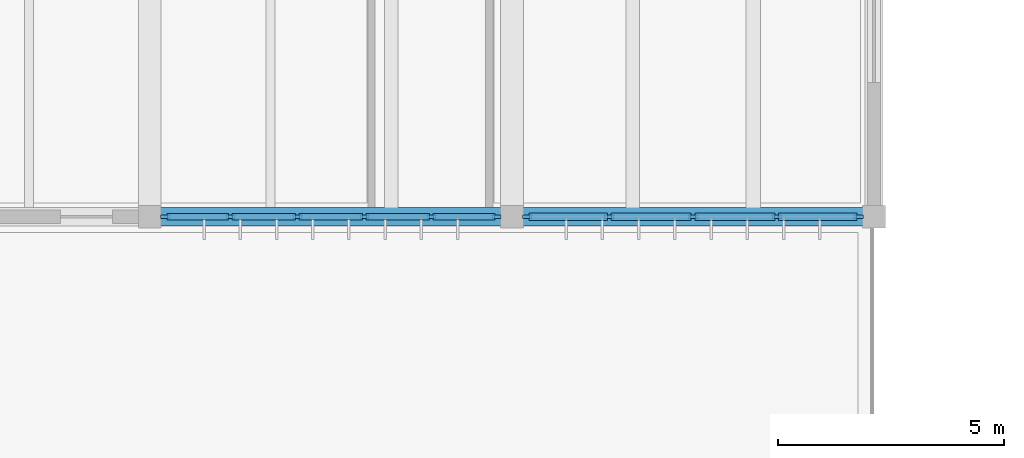
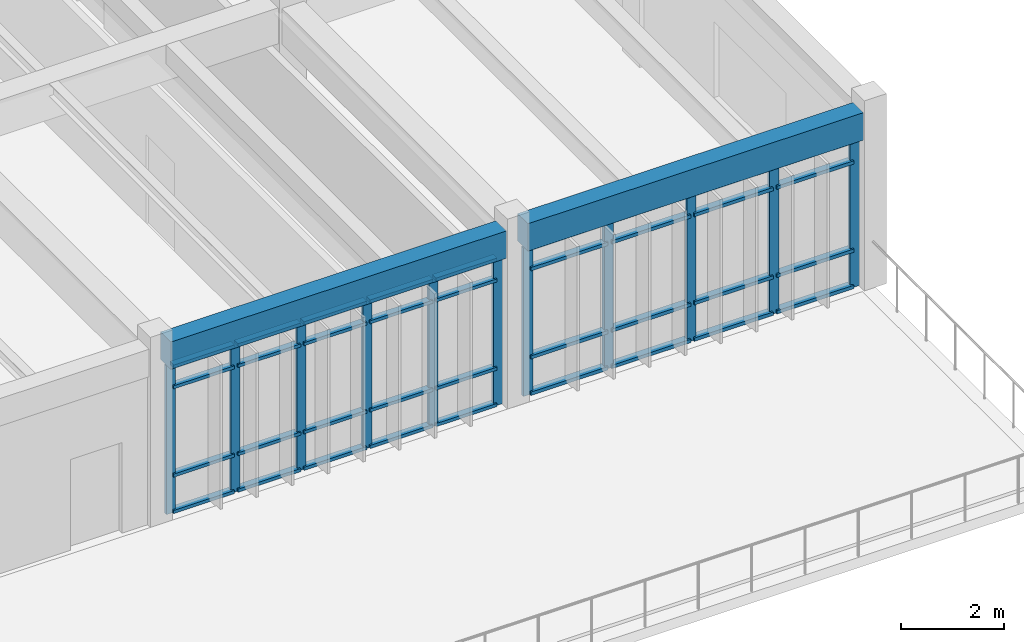
# One storey, part 2 of 72: 47 members, 2 beams, 2 elements without a shape of their own.
"""IFC4 building model written with IfcOpenShell, lengths in metres."""

from ifc_helpers import new_model, si_unit, direction, frame, origin, origin_2d, place, context, subcontext, project, spatial, rectangle, extrude, material, material_profile, profile_set, type_object, element, aggregate, save


model = new_model("IFC4")

# Units and contexts
model_context = context("Model", 3, precision=1e-05, world=origin(), true_north=direction((0.0, 1.0)))
body_context = subcontext(model_context, "Body", "Model", "MODEL_VIEW")
ifc_project = project(units=[si_unit("LENGTHUNIT", "METRE"), si_unit("AREAUNIT", "SQUARE_METRE"), si_unit("VOLUMEUNIT", "CUBIC_METRE"), si_unit("PLANEANGLEUNIT", "RADIAN"), si_unit("MASSUNIT", "GRAM", prefix="KILO")], contexts=[model_context])

# Site, building, storey
site_placement = place(None, origin())
site = spatial("IfcSite", under=ifc_project, at=site_placement, CompositionType="ELEMENT")
building_placement = place(site_placement, origin())
building = spatial("IfcBuilding", under=site, at=building_placement, Name="Tlaxcora Railside Police Headquarters", CompositionType="ELEMENT")
storey_placement = place(building_placement, frame((0.0, 0.0, 13.5)))
storey = spatial("IfcBuildingStorey", under=building, at=storey_placement, Name="L03", CompositionType="ELEMENT", Elevation=13.5)

# Curtain wall, members
ifc_material_1 = material(Name="Thermally broken low-E insulated glazing", Category="glass")
curtain_wall_type_1 = type_object("IfcCurtainWallType", Name="Unitised Curtain Wall Assembly CW-15", PredefinedType="NOTDEFINED", material=ifc_material_1)
curtain_wall_1_placement = place(storey_placement, origin())
curtain_wall_1 = element("IfcCurtainWall", 1, at=curtain_wall_1_placement, inside=storey, type_object=curtain_wall_type_1, Name="V5 L03 curtain wall 70", PredefinedType="NOTDEFINED")
ifc_material_2 = material(Name="Anodised aluminium framing", Category="aluminium")
ifc_material_profile_1 = material_profile(ifc_material_2, rectangle(XDim=0.074951171875, YDim=0.199951171875, at=origin_2d()), Name="AL75X200")
ifc_profile_set_1 = profile_set([ifc_material_profile_1], Name="Anodised aluminium framing")
member_type_1 = type_object("IfcMemberType", Name="Curtain Wall Mullion CW-58", PredefinedType="MULLION", material=ifc_profile_set_1)
member_1_placement = place(storey_placement, frame((13.53759765625, 52.0, 0.0), z_axis=(0.0, 0.0, 1.0), x_axis=(0.0, 1.0, 0.0)))
member_1 = element("IfcMember", 2, at=member_1_placement, type_object=member_type_1, Name="CW mullion 1", PredefinedType="MULLION", context=body_context, shape_type="SweptSolid", body=[
    extrude(rectangle(XDim=0.074951171875, YDim=0.199951171875, at=origin_2d()), origin(), (0.0, 0.0, 1.0), 3.52001953125),
])
member_2_placement = place(storey_placement, frame((14.97998046875, 52.0, 0.0), z_axis=(0.0, 0.0, 1.0), x_axis=(0.0, 1.0, 0.0)))
member_2 = element("IfcMember", 3, at=member_2_placement, type_object=member_type_1, Name="CW mullion 2", PredefinedType="MULLION", context=body_context, shape_type="SweptSolid", body=[
    extrude(rectangle(XDim=0.074951171875, YDim=0.199951171875, at=origin_2d()), origin(), (0.0, 0.0, 1.0), 3.52001953125),
])
member_3_placement = place(storey_placement, frame((16.4599609375, 52.0, 0.0), z_axis=(0.0, 0.0, 1.0), x_axis=(0.0, 1.0, 0.0)))
member_3 = element("IfcMember", 4, at=member_3_placement, type_object=member_type_1, Name="CW mullion 3", PredefinedType="MULLION", context=body_context, shape_type="SweptSolid", body=[
    extrude(rectangle(XDim=0.074951171875, YDim=0.199951171875, at=origin_2d()), origin(), (0.0, 0.0, 1.0), 3.52001953125),
])
member_4_placement = place(storey_placement, frame((17.93994140625, 52.0, 0.0), z_axis=(0.0, 0.0, 1.0), x_axis=(0.0, 1.0, 0.0)))
member_4 = element("IfcMember", 5, at=member_4_placement, type_object=member_type_1, Name="CW mullion 4", PredefinedType="MULLION", context=body_context, shape_type="SweptSolid", body=[
    extrude(rectangle(XDim=0.074951171875, YDim=0.199951171875, at=origin_2d()), origin(), (0.0, 0.0, 1.0), 3.52001953125),
])
member_5_placement = place(storey_placement, frame((19.419921875, 52.0, 0.0), z_axis=(0.0, 0.0, 1.0), x_axis=(0.0, 1.0, 0.0)))
member_5 = element("IfcMember", 6, at=member_5_placement, type_object=member_type_1, Name="CW mullion 5", PredefinedType="MULLION", context=body_context, shape_type="SweptSolid", body=[
    extrude(rectangle(XDim=0.074951171875, YDim=0.199951171875, at=origin_2d()), origin(), (0.0, 0.0, 1.0), 3.52001953125),
])
member_6_placement = place(storey_placement, frame((20.862548828125, 52.0, 0.0), z_axis=(0.0, 0.0, 1.0), x_axis=(0.0, 1.0, 0.0)))
member_6 = element("IfcMember", 7, at=member_6_placement, type_object=member_type_1, Name="CW mullion 6", PredefinedType="MULLION", context=body_context, shape_type="SweptSolid", body=[
    extrude(rectangle(XDim=0.074951171875, YDim=0.199951171875, at=origin_2d()), origin(), (0.0, 0.0, 1.0), 3.52001953125),
])

curtain_wall_type_2 = type_object("IfcCurtainWallType", Name="Unitised Curtain Wall Assembly CW-83", PredefinedType="NOTDEFINED", material=ifc_material_1)
curtain_wall_2_placement = place(storey_placement, origin())
curtain_wall_2 = element("IfcCurtainWall", 8, at=curtain_wall_2_placement, inside=storey, type_object=curtain_wall_type_2, Name="V5 L03 curtain wall 71", PredefinedType="NOTDEFINED")
ifc_material_profile_2 = material_profile(ifc_material_2, rectangle(XDim=0.080078125, YDim=0.2099609375, at=origin_2d()), Name="AL80X210")
ifc_profile_set_2 = profile_set([ifc_material_profile_2], Name="Anodised aluminium framing")
member_type_2 = type_object("IfcMemberType", Name="Curtain Wall Mullion CW-76", PredefinedType="MULLION", material=ifc_profile_set_2)
member_7_placement = place(storey_placement, frame((21.5400390625, 52.0, 0.0), z_axis=(0.0, 0.0, 1.0), x_axis=(0.0, 1.0, 0.0)))
member_7 = element("IfcMember", 9, at=member_7_placement, type_object=member_type_2, Name="CW mullion 1", PredefinedType="MULLION", context=body_context, shape_type="SweptSolid", body=[
    extrude(rectangle(XDim=0.080078125, YDim=0.2099609375, at=origin_2d()), origin(), (0.0, 0.0, 1.0), 3.52001953125),
])
member_8_placement = place(storey_placement, frame((23.35009765625, 52.0, 0.0), z_axis=(0.0, 0.0, 1.0), x_axis=(0.0, 1.0, 0.0)))
member_8 = element("IfcMember", 10, at=member_8_placement, type_object=member_type_2, Name="CW mullion 2", PredefinedType="MULLION", context=body_context, shape_type="SweptSolid", body=[
    extrude(rectangle(XDim=0.080078125, YDim=0.2099609375, at=origin_2d()), origin(), (0.0, 0.0, 1.0), 3.52001953125),
])
member_9_placement = place(storey_placement, frame((25.199951171875, 52.0, 0.0), z_axis=(0.0, 0.0, 1.0), x_axis=(0.0, 1.0, 0.0)))
member_9 = element("IfcMember", 11, at=member_9_placement, type_object=member_type_2, Name="CW mullion 3", PredefinedType="MULLION", context=body_context, shape_type="SweptSolid", body=[
    extrude(rectangle(XDim=0.080078125, YDim=0.2099609375, at=origin_2d()), origin(), (0.0, 0.0, 1.0), 3.52001953125),
])
member_10_placement = place(storey_placement, frame((27.050048828125, 52.0, 0.0), z_axis=(0.0, 0.0, 1.0), x_axis=(0.0, 1.0, 0.0)))
member_10 = element("IfcMember", 12, at=member_10_placement, type_object=member_type_2, Name="CW mullion 4", PredefinedType="MULLION", context=body_context, shape_type="SweptSolid", body=[
    extrude(rectangle(XDim=0.080078125, YDim=0.2099609375, at=origin_2d()), origin(), (0.0, 0.0, 1.0), 3.52001953125),
])
member_11_placement = place(storey_placement, frame((28.860107421875, 52.0, 0.0), z_axis=(0.0, 0.0, 1.0), x_axis=(0.0, 1.0, 0.0)))
member_11 = element("IfcMember", 13, at=member_11_placement, type_object=member_type_2, Name="CW mullion 5", PredefinedType="MULLION", context=body_context, shape_type="SweptSolid", body=[
    extrude(rectangle(XDim=0.080078125, YDim=0.2099609375, at=origin_2d()), origin(), (0.0, 0.0, 1.0), 3.52001953125),
])

# Member
ifc_material_profile_3 = material_profile(ifc_material_2, rectangle(XDim=0.14990234375, YDim=0.074951171875, at=origin_2d()), Name="AL75X150")
ifc_profile_set_3 = profile_set([ifc_material_profile_3], Name="Anodised aluminium framing")
member_type_3 = type_object("IfcMemberType", Name="Curtain Wall Transom CW-28", PredefinedType="USERDEFINED", material=ifc_profile_set_3)
member_12_placement = place(storey_placement, frame((13.574951171875, 52.0, 0.03759765625), z_axis=(1.0, 0.0, 0.0), x_axis=(0.0, 1.0, 0.0)))
member_12 = element("IfcMember", 14, at=member_12_placement, type_object=member_type_3, Name="CW transom 1.1", ObjectType="TRANSOM", PredefinedType="USERDEFINED", context=body_context, shape_type="SweptSolid", body=[
    extrude(rectangle(XDim=0.14990234375, YDim=0.074951171875, at=origin_2d()), origin(), (0.0, 0.0, 1.0), 1.367431640625),
])

member_13_placement = place(storey_placement, frame((13.574951171875, 52.0, 0.89990234375), z_axis=(1.0, 0.0, 0.0), x_axis=(0.0, 1.0, 0.0)))
member_13 = element("IfcMember", 15, at=member_13_placement, type_object=member_type_3, Name="CW transom 1.2", ObjectType="TRANSOM", PredefinedType="USERDEFINED", context=body_context, shape_type="SweptSolid", body=[
    extrude(rectangle(XDim=0.14990234375, YDim=0.074951171875, at=origin_2d()), origin(), (0.0, 0.0, 1.0), 1.367431640625),
])

member_14_placement = place(storey_placement, frame((13.574951171875, 52.0, 2.989990234375), z_axis=(1.0, 0.0, 0.0), x_axis=(0.0, 1.0, 0.0)))
member_14 = element("IfcMember", 16, at=member_14_placement, type_object=member_type_3, Name="CW transom 1.3", ObjectType="TRANSOM", PredefinedType="USERDEFINED", context=body_context, shape_type="SweptSolid", body=[
    extrude(rectangle(XDim=0.14990234375, YDim=0.074951171875, at=origin_2d()), origin(), (0.0, 0.0, 1.0), 1.367431640625),
])

member_15_placement = place(storey_placement, frame((13.574951171875, 52.0, 3.482421875), z_axis=(1.0, 0.0, 0.0), x_axis=(0.0, 1.0, 0.0)))
member_15 = element("IfcMember", 17, at=member_15_placement, type_object=member_type_3, Name="CW transom 1.4", ObjectType="TRANSOM", PredefinedType="USERDEFINED", context=body_context, shape_type="SweptSolid", body=[
    extrude(rectangle(XDim=0.14990234375, YDim=0.074951171875, at=origin_2d()), origin(), (0.0, 0.0, 1.0), 1.367431640625),
])

member_16_placement = place(storey_placement, frame((15.017578125, 52.0, 0.03759765625), z_axis=(1.0, 0.0, 0.0), x_axis=(0.0, 1.0, 0.0)))
member_16 = element("IfcMember", 18, at=member_16_placement, type_object=member_type_3, Name="CW transom 2.1", ObjectType="TRANSOM", PredefinedType="USERDEFINED", context=body_context, shape_type="SweptSolid", body=[
    extrude(rectangle(XDim=0.14990234375, YDim=0.074951171875, at=origin_2d()), origin(), (0.0, 0.0, 1.0), 1.405029296875),
])

member_17_placement = place(storey_placement, frame((15.017578125, 52.0, 0.89990234375), z_axis=(1.0, 0.0, 0.0), x_axis=(0.0, 1.0, 0.0)))
member_17 = element("IfcMember", 19, at=member_17_placement, type_object=member_type_3, Name="CW transom 2.2", ObjectType="TRANSOM", PredefinedType="USERDEFINED", context=body_context, shape_type="SweptSolid", body=[
    extrude(rectangle(XDim=0.14990234375, YDim=0.074951171875, at=origin_2d()), origin(), (0.0, 0.0, 1.0), 1.405029296875),
])

member_18_placement = place(storey_placement, frame((15.017578125, 52.0, 2.989990234375), z_axis=(1.0, 0.0, 0.0), x_axis=(0.0, 1.0, 0.0)))
member_18 = element("IfcMember", 20, at=member_18_placement, type_object=member_type_3, Name="CW transom 2.3", ObjectType="TRANSOM", PredefinedType="USERDEFINED", context=body_context, shape_type="SweptSolid", body=[
    extrude(rectangle(XDim=0.14990234375, YDim=0.074951171875, at=origin_2d()), origin(), (0.0, 0.0, 1.0), 1.405029296875),
])

member_19_placement = place(storey_placement, frame((15.017578125, 52.0, 3.482421875), z_axis=(1.0, 0.0, 0.0), x_axis=(0.0, 1.0, 0.0)))
member_19 = element("IfcMember", 21, at=member_19_placement, type_object=member_type_3, Name="CW transom 2.4", ObjectType="TRANSOM", PredefinedType="USERDEFINED", context=body_context, shape_type="SweptSolid", body=[
    extrude(rectangle(XDim=0.14990234375, YDim=0.074951171875, at=origin_2d()), origin(), (0.0, 0.0, 1.0), 1.405029296875),
])

member_20_placement = place(storey_placement, frame((16.49755859375, 52.0, 0.03759765625), z_axis=(1.0, 0.0, 0.0), x_axis=(0.0, 1.0, 0.0)))
member_20 = element("IfcMember", 22, at=member_20_placement, type_object=member_type_3, Name="CW transom 3.1", ObjectType="TRANSOM", PredefinedType="USERDEFINED", context=body_context, shape_type="SweptSolid", body=[
    extrude(rectangle(XDim=0.14990234375, YDim=0.074951171875, at=origin_2d()), origin(), (0.0, 0.0, 1.0), 1.405029296875),
])

member_21_placement = place(storey_placement, frame((16.49755859375, 52.0, 0.89990234375), z_axis=(1.0, 0.0, 0.0), x_axis=(0.0, 1.0, 0.0)))
member_21 = element("IfcMember", 23, at=member_21_placement, type_object=member_type_3, Name="CW transom 3.2", ObjectType="TRANSOM", PredefinedType="USERDEFINED", context=body_context, shape_type="SweptSolid", body=[
    extrude(rectangle(XDim=0.14990234375, YDim=0.074951171875, at=origin_2d()), origin(), (0.0, 0.0, 1.0), 1.405029296875),
])

member_22_placement = place(storey_placement, frame((16.49755859375, 52.0, 2.989990234375), z_axis=(1.0, 0.0, 0.0), x_axis=(0.0, 1.0, 0.0)))
member_22 = element("IfcMember", 24, at=member_22_placement, type_object=member_type_3, Name="CW transom 3.3", ObjectType="TRANSOM", PredefinedType="USERDEFINED", context=body_context, shape_type="SweptSolid", body=[
    extrude(rectangle(XDim=0.14990234375, YDim=0.074951171875, at=origin_2d()), origin(), (0.0, 0.0, 1.0), 1.405029296875),
])

member_23_placement = place(storey_placement, frame((16.49755859375, 52.0, 3.482421875), z_axis=(1.0, 0.0, 0.0), x_axis=(0.0, 1.0, 0.0)))
member_23 = element("IfcMember", 25, at=member_23_placement, type_object=member_type_3, Name="CW transom 3.4", ObjectType="TRANSOM", PredefinedType="USERDEFINED", context=body_context, shape_type="SweptSolid", body=[
    extrude(rectangle(XDim=0.14990234375, YDim=0.074951171875, at=origin_2d()), origin(), (0.0, 0.0, 1.0), 1.405029296875),
])

member_24_placement = place(storey_placement, frame((17.9775390625, 52.0, 0.03759765625), z_axis=(1.0, 0.0, 0.0), x_axis=(0.0, 1.0, 0.0)))
member_24 = element("IfcMember", 26, at=member_24_placement, type_object=member_type_3, Name="CW transom 4.1", ObjectType="TRANSOM", PredefinedType="USERDEFINED", context=body_context, shape_type="SweptSolid", body=[
    extrude(rectangle(XDim=0.14990234375, YDim=0.074951171875, at=origin_2d()), origin(), (0.0, 0.0, 1.0), 1.405029296875),
])

member_25_placement = place(storey_placement, frame((17.9775390625, 52.0, 0.89990234375), z_axis=(1.0, 0.0, 0.0), x_axis=(0.0, 1.0, 0.0)))
member_25 = element("IfcMember", 27, at=member_25_placement, type_object=member_type_3, Name="CW transom 4.2", ObjectType="TRANSOM", PredefinedType="USERDEFINED", context=body_context, shape_type="SweptSolid", body=[
    extrude(rectangle(XDim=0.14990234375, YDim=0.074951171875, at=origin_2d()), origin(), (0.0, 0.0, 1.0), 1.405029296875),
])

member_26_placement = place(storey_placement, frame((17.9775390625, 52.0, 2.989990234375), z_axis=(1.0, 0.0, 0.0), x_axis=(0.0, 1.0, 0.0)))
member_26 = element("IfcMember", 28, at=member_26_placement, type_object=member_type_3, Name="CW transom 4.3", ObjectType="TRANSOM", PredefinedType="USERDEFINED", context=body_context, shape_type="SweptSolid", body=[
    extrude(rectangle(XDim=0.14990234375, YDim=0.074951171875, at=origin_2d()), origin(), (0.0, 0.0, 1.0), 1.405029296875),
])

member_27_placement = place(storey_placement, frame((17.9775390625, 52.0, 3.482421875), z_axis=(1.0, 0.0, 0.0), x_axis=(0.0, 1.0, 0.0)))
member_27 = element("IfcMember", 29, at=member_27_placement, type_object=member_type_3, Name="CW transom 4.4", ObjectType="TRANSOM", PredefinedType="USERDEFINED", context=body_context, shape_type="SweptSolid", body=[
    extrude(rectangle(XDim=0.14990234375, YDim=0.074951171875, at=origin_2d()), origin(), (0.0, 0.0, 1.0), 1.405029296875),
])

member_28_placement = place(storey_placement, frame((19.45751953125, 52.0, 0.03759765625), z_axis=(1.0, 0.0, 0.0), x_axis=(0.0, 1.0, 0.0)))
member_28 = element("IfcMember", 30, at=member_28_placement, type_object=member_type_3, Name="CW transom 5.1", ObjectType="TRANSOM", PredefinedType="USERDEFINED", context=body_context, shape_type="SweptSolid", body=[
    extrude(rectangle(XDim=0.14990234375, YDim=0.074951171875, at=origin_2d()), origin(), (0.0, 0.0, 1.0), 1.367431640625),
])

member_29_placement = place(storey_placement, frame((19.45751953125, 52.0, 0.89990234375), z_axis=(1.0, 0.0, 0.0), x_axis=(0.0, 1.0, 0.0)))
member_29 = element("IfcMember", 31, at=member_29_placement, type_object=member_type_3, Name="CW transom 5.2", ObjectType="TRANSOM", PredefinedType="USERDEFINED", context=body_context, shape_type="SweptSolid", body=[
    extrude(rectangle(XDim=0.14990234375, YDim=0.074951171875, at=origin_2d()), origin(), (0.0, 0.0, 1.0), 1.367431640625),
])

member_30_placement = place(storey_placement, frame((19.45751953125, 52.0, 2.989990234375), z_axis=(1.0, 0.0, 0.0), x_axis=(0.0, 1.0, 0.0)))
member_30 = element("IfcMember", 32, at=member_30_placement, type_object=member_type_3, Name="CW transom 5.3", ObjectType="TRANSOM", PredefinedType="USERDEFINED", context=body_context, shape_type="SweptSolid", body=[
    extrude(rectangle(XDim=0.14990234375, YDim=0.074951171875, at=origin_2d()), origin(), (0.0, 0.0, 1.0), 1.367431640625),
])

member_31_placement = place(storey_placement, frame((19.45751953125, 52.0, 3.482421875), z_axis=(1.0, 0.0, 0.0), x_axis=(0.0, 1.0, 0.0)))
member_31 = element("IfcMember", 33, at=member_31_placement, type_object=member_type_3, Name="CW transom 5.4", ObjectType="TRANSOM", PredefinedType="USERDEFINED", context=body_context, shape_type="SweptSolid", body=[
    extrude(rectangle(XDim=0.14990234375, YDim=0.074951171875, at=origin_2d()), origin(), (0.0, 0.0, 1.0), 1.367431640625),
])

aggregate(curtain_wall_1, [member_1, member_2, member_3, member_4, member_5, member_6, member_12, member_13, member_14, member_15, member_16, member_17, member_18, member_19, member_20, member_21, member_22, member_23, member_24, member_25, member_26, member_27, member_28, member_29, member_30, member_31])

ifc_material_profile_4 = material_profile(ifc_material_2, rectangle(XDim=0.159912109375, YDim=0.080078125, at=origin_2d()), Name="AL80X160")
ifc_profile_set_4 = profile_set([ifc_material_profile_4], Name="Anodised aluminium framing")
member_type_4 = type_object("IfcMemberType", Name="Curtain Wall Transom CW-82", PredefinedType="USERDEFINED", material=ifc_profile_set_4)
member_32_placement = place(storey_placement, frame((21.580078125, 52.0, 0.0400390625), z_axis=(1.0, 0.0, 0.0), x_axis=(0.0, 1.0, 0.0)))
member_32 = element("IfcMember", 34, at=member_32_placement, type_object=member_type_4, Name="CW transom 1.1", ObjectType="TRANSOM", PredefinedType="USERDEFINED", context=body_context, shape_type="SweptSolid", body=[
    extrude(rectangle(XDim=0.159912109375, YDim=0.080078125, at=origin_2d()), origin(), (0.0, 0.0, 1.0), 1.72998046875),
])

member_33_placement = place(storey_placement, frame((21.580078125, 52.0, 0.89990234375), z_axis=(1.0, 0.0, 0.0), x_axis=(0.0, 1.0, 0.0)))
member_33 = element("IfcMember", 35, at=member_33_placement, type_object=member_type_4, Name="CW transom 1.2", ObjectType="TRANSOM", PredefinedType="USERDEFINED", context=body_context, shape_type="SweptSolid", body=[
    extrude(rectangle(XDim=0.159912109375, YDim=0.080078125, at=origin_2d()), origin(), (0.0, 0.0, 1.0), 1.72998046875),
])

member_34_placement = place(storey_placement, frame((21.580078125, 52.0, 2.989990234375), z_axis=(1.0, 0.0, 0.0), x_axis=(0.0, 1.0, 0.0)))
member_34 = element("IfcMember", 36, at=member_34_placement, type_object=member_type_4, Name="CW transom 1.3", ObjectType="TRANSOM", PredefinedType="USERDEFINED", context=body_context, shape_type="SweptSolid", body=[
    extrude(rectangle(XDim=0.159912109375, YDim=0.080078125, at=origin_2d()), origin(), (0.0, 0.0, 1.0), 1.72998046875),
])

member_35_placement = place(storey_placement, frame((21.580078125, 52.0, 3.47998046875), z_axis=(1.0, 0.0, 0.0), x_axis=(0.0, 1.0, 0.0)))
member_35 = element("IfcMember", 37, at=member_35_placement, type_object=member_type_4, Name="CW transom 1.4", ObjectType="TRANSOM", PredefinedType="USERDEFINED", context=body_context, shape_type="SweptSolid", body=[
    extrude(rectangle(XDim=0.159912109375, YDim=0.080078125, at=origin_2d()), origin(), (0.0, 0.0, 1.0), 1.72998046875),
])

member_36_placement = place(storey_placement, frame((23.389892578125, 52.0, 0.0400390625), z_axis=(1.0, 0.0, 0.0), x_axis=(0.0, 1.0, 0.0)))
member_36 = element("IfcMember", 38, at=member_36_placement, type_object=member_type_4, Name="CW transom 2.1", ObjectType="TRANSOM", PredefinedType="USERDEFINED", context=body_context, shape_type="SweptSolid", body=[
    extrude(rectangle(XDim=0.159912109375, YDim=0.080078125, at=origin_2d()), origin(), (0.0, 0.0, 1.0), 1.77001953125),
])

member_37_placement = place(storey_placement, frame((23.389892578125, 52.0, 0.89990234375), z_axis=(1.0, 0.0, 0.0), x_axis=(0.0, 1.0, 0.0)))
member_37 = element("IfcMember", 39, at=member_37_placement, type_object=member_type_4, Name="CW transom 2.2", ObjectType="TRANSOM", PredefinedType="USERDEFINED", context=body_context, shape_type="SweptSolid", body=[
    extrude(rectangle(XDim=0.159912109375, YDim=0.080078125, at=origin_2d()), origin(), (0.0, 0.0, 1.0), 1.77001953125),
])

member_38_placement = place(storey_placement, frame((23.389892578125, 52.0, 2.989990234375), z_axis=(1.0, 0.0, 0.0), x_axis=(0.0, 1.0, 0.0)))
member_38 = element("IfcMember", 40, at=member_38_placement, type_object=member_type_4, Name="CW transom 2.3", ObjectType="TRANSOM", PredefinedType="USERDEFINED", context=body_context, shape_type="SweptSolid", body=[
    extrude(rectangle(XDim=0.159912109375, YDim=0.080078125, at=origin_2d()), origin(), (0.0, 0.0, 1.0), 1.77001953125),
])

member_39_placement = place(storey_placement, frame((23.389892578125, 52.0, 3.47998046875), z_axis=(1.0, 0.0, 0.0), x_axis=(0.0, 1.0, 0.0)))
member_39 = element("IfcMember", 41, at=member_39_placement, type_object=member_type_4, Name="CW transom 2.4", ObjectType="TRANSOM", PredefinedType="USERDEFINED", context=body_context, shape_type="SweptSolid", body=[
    extrude(rectangle(XDim=0.159912109375, YDim=0.080078125, at=origin_2d()), origin(), (0.0, 0.0, 1.0), 1.77001953125),
])

member_40_placement = place(storey_placement, frame((25.239990234375, 52.0, 0.0400390625), z_axis=(1.0, 0.0, 0.0), x_axis=(0.0, 1.0, 0.0)))
member_40 = element("IfcMember", 42, at=member_40_placement, type_object=member_type_4, Name="CW transom 3.1", ObjectType="TRANSOM", PredefinedType="USERDEFINED", context=body_context, shape_type="SweptSolid", body=[
    extrude(rectangle(XDim=0.159912109375, YDim=0.080078125, at=origin_2d()), origin(), (0.0, 0.0, 1.0), 1.77001953125),
])

member_41_placement = place(storey_placement, frame((25.239990234375, 52.0, 0.89990234375), z_axis=(1.0, 0.0, 0.0), x_axis=(0.0, 1.0, 0.0)))
member_41 = element("IfcMember", 43, at=member_41_placement, type_object=member_type_4, Name="CW transom 3.2", ObjectType="TRANSOM", PredefinedType="USERDEFINED", context=body_context, shape_type="SweptSolid", body=[
    extrude(rectangle(XDim=0.159912109375, YDim=0.080078125, at=origin_2d()), origin(), (0.0, 0.0, 1.0), 1.77001953125),
])

member_42_placement = place(storey_placement, frame((25.239990234375, 52.0, 2.989990234375), z_axis=(1.0, 0.0, 0.0), x_axis=(0.0, 1.0, 0.0)))
member_42 = element("IfcMember", 44, at=member_42_placement, type_object=member_type_4, Name="CW transom 3.3", ObjectType="TRANSOM", PredefinedType="USERDEFINED", context=body_context, shape_type="SweptSolid", body=[
    extrude(rectangle(XDim=0.159912109375, YDim=0.080078125, at=origin_2d()), origin(), (0.0, 0.0, 1.0), 1.77001953125),
])

member_43_placement = place(storey_placement, frame((25.239990234375, 52.0, 3.47998046875), z_axis=(1.0, 0.0, 0.0), x_axis=(0.0, 1.0, 0.0)))
member_43 = element("IfcMember", 45, at=member_43_placement, type_object=member_type_4, Name="CW transom 3.4", ObjectType="TRANSOM", PredefinedType="USERDEFINED", context=body_context, shape_type="SweptSolid", body=[
    extrude(rectangle(XDim=0.159912109375, YDim=0.080078125, at=origin_2d()), origin(), (0.0, 0.0, 1.0), 1.77001953125),
])

member_44_placement = place(storey_placement, frame((27.090087890625, 52.0, 0.0400390625), z_axis=(1.0, 0.0, 0.0), x_axis=(0.0, 1.0, 0.0)))
member_44 = element("IfcMember", 46, at=member_44_placement, type_object=member_type_4, Name="CW transom 4.1", ObjectType="TRANSOM", PredefinedType="USERDEFINED", context=body_context, shape_type="SweptSolid", body=[
    extrude(rectangle(XDim=0.159912109375, YDim=0.080078125, at=origin_2d()), origin(), (0.0, 0.0, 1.0), 1.72998046875),
])

member_45_placement = place(storey_placement, frame((27.090087890625, 52.0, 0.89990234375), z_axis=(1.0, 0.0, 0.0), x_axis=(0.0, 1.0, 0.0)))
member_45 = element("IfcMember", 47, at=member_45_placement, type_object=member_type_4, Name="CW transom 4.2", ObjectType="TRANSOM", PredefinedType="USERDEFINED", context=body_context, shape_type="SweptSolid", body=[
    extrude(rectangle(XDim=0.159912109375, YDim=0.080078125, at=origin_2d()), origin(), (0.0, 0.0, 1.0), 1.72998046875),
])

member_46_placement = place(storey_placement, frame((27.090087890625, 52.0, 2.989990234375), z_axis=(1.0, 0.0, 0.0), x_axis=(0.0, 1.0, 0.0)))
member_46 = element("IfcMember", 48, at=member_46_placement, type_object=member_type_4, Name="CW transom 4.3", ObjectType="TRANSOM", PredefinedType="USERDEFINED", context=body_context, shape_type="SweptSolid", body=[
    extrude(rectangle(XDim=0.159912109375, YDim=0.080078125, at=origin_2d()), origin(), (0.0, 0.0, 1.0), 1.72998046875),
])

member_47_placement = place(storey_placement, frame((27.090087890625, 52.0, 3.47998046875), z_axis=(1.0, 0.0, 0.0), x_axis=(0.0, 1.0, 0.0)))
member_47 = element("IfcMember", 49, at=member_47_placement, type_object=member_type_4, Name="CW transom 4.4", ObjectType="TRANSOM", PredefinedType="USERDEFINED", context=body_context, shape_type="SweptSolid", body=[
    extrude(rectangle(XDim=0.159912109375, YDim=0.080078125, at=origin_2d()), origin(), (0.0, 0.0, 1.0), 1.72998046875),
])

aggregate(curtain_wall_2, [member_7, member_8, member_9, member_10, member_11, member_32, member_33, member_34, member_35, member_36, member_37, member_38, member_39, member_40, member_41, member_42, member_43, member_44, member_45, member_46, member_47])

# Beams
ifc_material_3 = material(Name="Concrete C40/50", Category="concrete")
ifc_material_profile_5 = material_profile(ifc_material_3, rectangle(XDim=0.39990234375, YDim=0.64990234375, at=origin_2d()), Name="RC400X650")
ifc_profile_set_5 = profile_set([ifc_material_profile_5], Name="Concrete C40/50")
beam_type = type_object("IfcBeamType", Name="Perimeter Spandrel Beam BM-46", PredefinedType="SPANDREL", material=ifc_profile_set_5)
for number, where, z_axis, x_axis, name in (
    (50, (13.43994140625, 52.0, 3.864990234375), (1.0, 0.0, 0.0), (0.0, 1.0, 0.0), "V5 L03 X-girder Y=52.0"),
    (51, (21.43994140625, 52.0, 3.864990234375), (1.0, 0.0, 0.0), (0.0, 1.0, 0.0), "V5 L03 X-girder Y=52.0"),
):
    element("IfcBeam", number, at=place(storey_placement, frame(where, z_axis=z_axis, x_axis=x_axis)), inside=storey, type_object=beam_type, Name=name, PredefinedType="SPANDREL", context=body_context, shape_type="SweptSolid", body=[
        extrude(rectangle(XDim=0.39990234375, YDim=0.64990234375, at=origin_2d()), origin(), (0.0, 0.0, 1.0), 7.52001953125),
    ])

save(model, "model.ifc")
